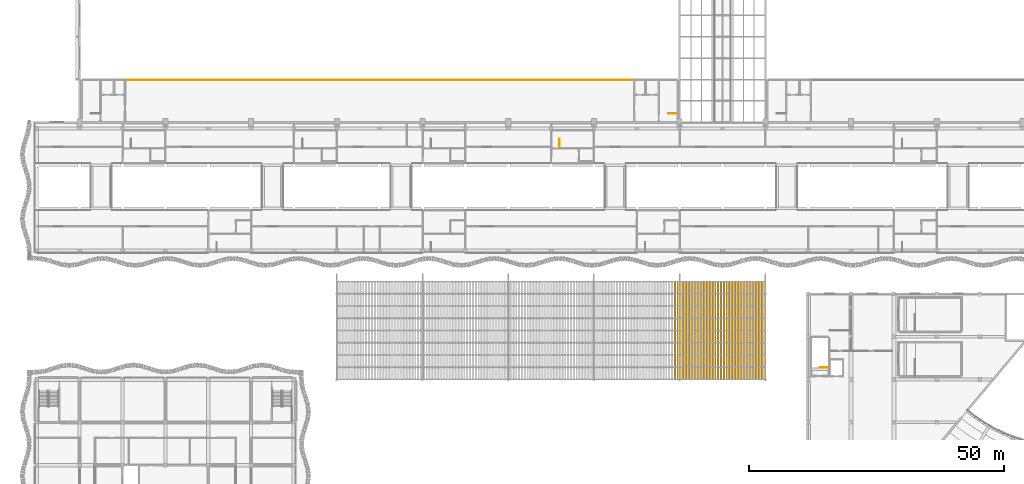
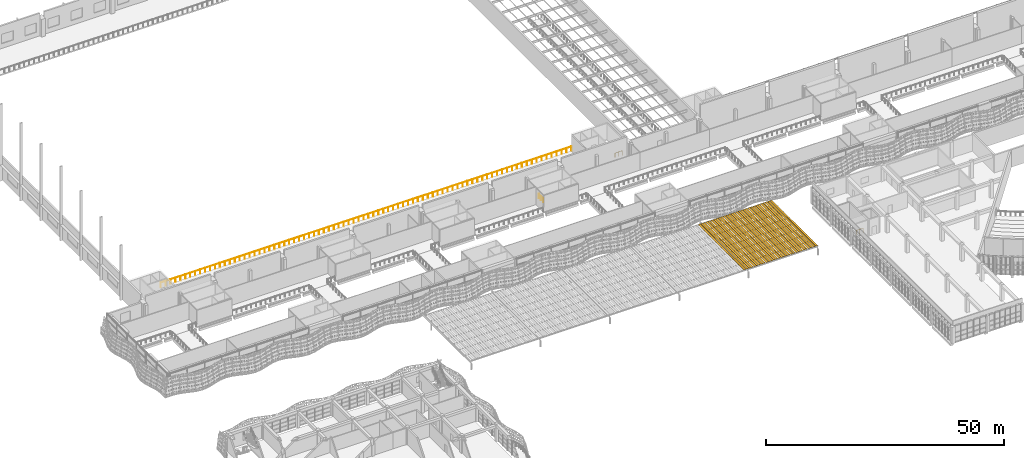
# One storey, part 141 of 162: 30 shading devices, 4 railings.
"""IFC4 building model written with IfcOpenShell, lengths in metres."""

from ifc_helpers import new_model, si_unit, direction, frame, origin, origin_2d, place, context, subcontext, project, spatial, rectangle, circle, extrude, material, layer, layer_set, type_object, element, save


model = new_model("IFC4")

# Units and contexts
model_context = context("Model", 3, precision=1e-05, world=origin(), true_north=direction((0.0, 1.0)))
body_context = subcontext(model_context, "Body", "Model", "MODEL_VIEW")
ifc_project = project(units=[si_unit("LENGTHUNIT", "METRE"), si_unit("AREAUNIT", "SQUARE_METRE"), si_unit("VOLUMEUNIT", "CUBIC_METRE"), si_unit("PLANEANGLEUNIT", "RADIAN"), si_unit("MASSUNIT", "GRAM", prefix="KILO")], contexts=[model_context])

# Site, building, storey
site_placement = place(None, origin())
site = spatial("IfcSite", under=ifc_project, at=site_placement, CompositionType="ELEMENT")
building_placement = place(site_placement, origin())
building = spatial("IfcBuilding", under=site, at=building_placement, Name="Rain Tree Exposition and Congress Centre", CompositionType="ELEMENT")
storey_placement = place(building_placement, frame((0.0, 0.0, 6.0)))
storey = spatial("IfcBuildingStorey", under=building, at=storey_placement, Name="L01", CompositionType="ELEMENT", Elevation=6.0)

# Railings
ifc_material_1 = material(Name="Aluminium and glass balustrade", Category="aluminium")
railing_type_1 = type_object("IfcRailingType", Name="Concourse guard 1100", PredefinedType="GUARDRAIL", material=ifc_material_1)
railing_1_placement = place(storey_placement, frame((102.449951171875, 95.85009765625, 0.0)))
element("IfcRailing", 1, at=railing_1_placement, inside=storey, type_object=railing_type_1, Name="L01 ST-C10 top well guard 1", PredefinedType="GUARDRAIL", context=body_context, shape_type="SweptSolid", body=[
    extrude(circle(Radius=0.02392578125, at=origin_2d()), frame((0.0, 0.0, 1.076171875), z_axis=(0.0, 1.0, 0.0), x_axis=(-1.0, 0.0, 0.0)), (0.0, 0.0, 1.0), 1.75),
    extrude(circle(Radius=0.02099609375, at=origin_2d()), origin(), (0.0, 0.0, 1.0), 1.052001953125),
    extrude(circle(Radius=0.02099609375, at=origin_2d()), frame((0.0, 0.875, 0.0)), (0.0, 0.0, 1.0), 1.052001953125),
    extrude(circle(Radius=0.02099609375, at=origin_2d()), frame((0.0, 1.75, 0.0)), (0.0, 0.0, 1.0), 1.052001953125),
])
ifc_material_2 = material(Name="Steel S355J2H", Category="steel")
railing_type_2 = type_object("IfcRailingType", Name="Gallery guard 1200", PredefinedType="GUARDRAIL", material=ifc_material_2)
railing_2_placement = place(storey_placement, frame((17.425048828125, 109.10009765625, 0.0)))
element("IfcRailing", 2, at=railing_2_placement, inside=storey, type_object=railing_type_2, Name="Gallery guard S", PredefinedType="GUARDRAIL", context=body_context, shape_type="SweptSolid", body=[
    extrude(circle(Radius=0.02392578125, at=origin_2d()), frame((0.0, 0.0, 1.17578125), z_axis=(1.0, 0.0, 0.0), x_axis=(0.0, 1.0, 0.0)), (0.0, 0.0, 1.0), 99.550048828125),
    extrude(circle(Radius=0.02099609375, at=origin_2d()), origin(), (0.0, 0.0, 1.0), 1.15185546875),
    extrude(circle(Radius=0.02099609375, at=origin_2d()), frame((1.199462890625, 0.0, 0.0)), (0.0, 0.0, 1.0), 1.15185546875),
    extrude(circle(Radius=0.02099609375, at=origin_2d()), frame((2.398681640625, 0.0, 0.0)), (0.0, 0.0, 1.0), 1.15185546875),
    extrude(circle(Radius=0.02099609375, at=origin_2d()), frame((3.59814453125, 0.0, 0.0)), (0.0, 0.0, 1.0), 1.15185546875),
    extrude(circle(Radius=0.02099609375, at=origin_2d()), frame((4.797607421875, 0.0, 0.0)), (0.0, 0.0, 1.0), 1.15185546875),
    extrude(circle(Radius=0.02099609375, at=origin_2d()), frame((5.9970703125, 0.0, 0.0)), (0.0, 0.0, 1.0), 1.15185546875),
    extrude(circle(Radius=0.02099609375, at=origin_2d()), frame((7.1962890625, 0.0, 0.0)), (0.0, 0.0, 1.0), 1.15185546875),
    extrude(circle(Radius=0.02099609375, at=origin_2d()), frame((8.395751953125, 0.0, 0.0)), (0.0, 0.0, 1.0), 1.15185546875),
    extrude(circle(Radius=0.02099609375, at=origin_2d()), frame((9.59521484375, 0.0, 0.0)), (0.0, 0.0, 1.0), 1.15185546875),
    extrude(circle(Radius=0.02099609375, at=origin_2d()), frame((10.794677734375, 0.0, 0.0)), (0.0, 0.0, 1.0), 1.15185546875),
    extrude(circle(Radius=0.02099609375, at=origin_2d()), frame((11.993896484375, 0.0, 0.0)), (0.0, 0.0, 1.0), 1.15185546875),
    extrude(circle(Radius=0.02099609375, at=origin_2d()), frame((13.193359375, 0.0, 0.0)), (0.0, 0.0, 1.0), 1.15185546875),
    extrude(circle(Radius=0.02099609375, at=origin_2d()), frame((14.392822265625, 0.0, 0.0)), (0.0, 0.0, 1.0), 1.15185546875),
    extrude(circle(Radius=0.02099609375, at=origin_2d()), frame((15.59228515625, 0.0, 0.0)), (0.0, 0.0, 1.0), 1.15185546875),
    extrude(circle(Radius=0.02099609375, at=origin_2d()), frame((16.79150390625, 0.0, 0.0)), (0.0, 0.0, 1.0), 1.15185546875),
    extrude(circle(Radius=0.02099609375, at=origin_2d()), frame((17.990966796875, 0.0, 0.0)), (0.0, 0.0, 1.0), 1.15185546875),
    extrude(circle(Radius=0.02099609375, at=origin_2d()), frame((19.1904296875, 0.0, 0.0)), (0.0, 0.0, 1.0), 1.15185546875),
    extrude(circle(Radius=0.02099609375, at=origin_2d()), frame((20.3896484375, 0.0, 0.0)), (0.0, 0.0, 1.0), 1.15185546875),
    extrude(circle(Radius=0.02099609375, at=origin_2d()), frame((21.589111328125, 0.0, 0.0)), (0.0, 0.0, 1.0), 1.15185546875),
    extrude(circle(Radius=0.02099609375, at=origin_2d()), frame((22.78857421875, 0.0, 0.0)), (0.0, 0.0, 1.0), 1.15185546875),
    extrude(circle(Radius=0.02099609375, at=origin_2d()), frame((23.988037109375, 0.0, 0.0)), (0.0, 0.0, 1.0), 1.15185546875),
    extrude(circle(Radius=0.02099609375, at=origin_2d()), frame((25.187255859375, 0.0, 0.0)), (0.0, 0.0, 1.0), 1.15185546875),
    extrude(circle(Radius=0.02099609375, at=origin_2d()), frame((26.38671875, 0.0, 0.0)), (0.0, 0.0, 1.0), 1.15185546875),
    extrude(circle(Radius=0.02099609375, at=origin_2d()), frame((27.586181640625, 0.0, 0.0)), (0.0, 0.0, 1.0), 1.15185546875),
    extrude(circle(Radius=0.02099609375, at=origin_2d()), frame((28.78564453125, 0.0, 0.0)), (0.0, 0.0, 1.0), 1.15185546875),
    extrude(circle(Radius=0.02099609375, at=origin_2d()), frame((29.98486328125, 0.0, 0.0)), (0.0, 0.0, 1.0), 1.15185546875),
    extrude(circle(Radius=0.02099609375, at=origin_2d()), frame((31.184326171875, 0.0, 0.0)), (0.0, 0.0, 1.0), 1.15185546875),
    extrude(circle(Radius=0.02099609375, at=origin_2d()), frame((32.3837890625, 0.0, 0.0)), (0.0, 0.0, 1.0), 1.15185546875),
    extrude(circle(Radius=0.02099609375, at=origin_2d()), frame((33.583251953125, 0.0, 0.0)), (0.0, 0.0, 1.0), 1.15185546875),
    extrude(circle(Radius=0.02099609375, at=origin_2d()), frame((34.782470703125, 0.0, 0.0)), (0.0, 0.0, 1.0), 1.15185546875),
    extrude(circle(Radius=0.02099609375, at=origin_2d()), frame((35.98193359375, 0.0, 0.0)), (0.0, 0.0, 1.0), 1.15185546875),
    extrude(circle(Radius=0.02099609375, at=origin_2d()), frame((37.181396484375, 0.0, 0.0)), (0.0, 0.0, 1.0), 1.15185546875),
    extrude(circle(Radius=0.02099609375, at=origin_2d()), frame((38.380859375, 0.0, 0.0)), (0.0, 0.0, 1.0), 1.15185546875),
    extrude(circle(Radius=0.02099609375, at=origin_2d()), frame((39.580078125, 0.0, 0.0)), (0.0, 0.0, 1.0), 1.15185546875),
    extrude(circle(Radius=0.02099609375, at=origin_2d()), frame((40.779541015625, 0.0, 0.0)), (0.0, 0.0, 1.0), 1.15185546875),
    extrude(circle(Radius=0.02099609375, at=origin_2d()), frame((41.97900390625, 0.0, 0.0)), (0.0, 0.0, 1.0), 1.15185546875),
    extrude(circle(Radius=0.02099609375, at=origin_2d()), frame((43.17822265625, 0.0, 0.0)), (0.0, 0.0, 1.0), 1.15185546875),
    extrude(circle(Radius=0.02099609375, at=origin_2d()), frame((44.377685546875, 0.0, 0.0)), (0.0, 0.0, 1.0), 1.15185546875),
    extrude(circle(Radius=0.02099609375, at=origin_2d()), frame((45.5771484375, 0.0, 0.0)), (0.0, 0.0, 1.0), 1.15185546875),
    extrude(circle(Radius=0.02099609375, at=origin_2d()), frame((46.776611328125, 0.0, 0.0)), (0.0, 0.0, 1.0), 1.15185546875),
    extrude(circle(Radius=0.02099609375, at=origin_2d()), frame((47.975830078125, 0.0, 0.0)), (0.0, 0.0, 1.0), 1.15185546875),
    extrude(circle(Radius=0.02099609375, at=origin_2d()), frame((49.17529296875, 0.0, 0.0)), (0.0, 0.0, 1.0), 1.15185546875),
    extrude(circle(Radius=0.02099609375, at=origin_2d()), frame((50.374755859375, 0.0, 0.0)), (0.0, 0.0, 1.0), 1.15185546875),
    extrude(circle(Radius=0.02099609375, at=origin_2d()), frame((51.57421875, 0.0, 0.0)), (0.0, 0.0, 1.0), 1.15185546875),
    extrude(circle(Radius=0.02099609375, at=origin_2d()), frame((52.7734375, 0.0, 0.0)), (0.0, 0.0, 1.0), 1.15185546875),
    extrude(circle(Radius=0.02099609375, at=origin_2d()), frame((53.972900390625, 0.0, 0.0)), (0.0, 0.0, 1.0), 1.15185546875),
    extrude(circle(Radius=0.02099609375, at=origin_2d()), frame((55.17236328125, 0.0, 0.0)), (0.0, 0.0, 1.0), 1.15185546875),
    extrude(circle(Radius=0.02099609375, at=origin_2d()), frame((56.371826171875, 0.0, 0.0)), (0.0, 0.0, 1.0), 1.15185546875),
    extrude(circle(Radius=0.02099609375, at=origin_2d()), frame((57.571044921875, 0.0, 0.0)), (0.0, 0.0, 1.0), 1.15185546875),
    extrude(circle(Radius=0.02099609375, at=origin_2d()), frame((58.7705078125, 0.0, 0.0)), (0.0, 0.0, 1.0), 1.15185546875),
    extrude(circle(Radius=0.02099609375, at=origin_2d()), frame((59.969970703125, 0.0, 0.0)), (0.0, 0.0, 1.0), 1.15185546875),
    extrude(circle(Radius=0.02099609375, at=origin_2d()), frame((61.169189453125, 0.0, 0.0)), (0.0, 0.0, 1.0), 1.15185546875),
    extrude(circle(Radius=0.02099609375, at=origin_2d()), frame((62.36865234375, 0.0, 0.0)), (0.0, 0.0, 1.0), 1.15185546875),
    extrude(circle(Radius=0.02099609375, at=origin_2d()), frame((63.568115234375, 0.0, 0.0)), (0.0, 0.0, 1.0), 1.15185546875),
    extrude(circle(Radius=0.02099609375, at=origin_2d()), frame((64.767578125, 0.0, 0.0)), (0.0, 0.0, 1.0), 1.15185546875),
    extrude(circle(Radius=0.02099609375, at=origin_2d()), frame((65.966796875, 0.0, 0.0)), (0.0, 0.0, 1.0), 1.15185546875),
    extrude(circle(Radius=0.02099609375, at=origin_2d()), frame((67.166259765625, 0.0, 0.0)), (0.0, 0.0, 1.0), 1.15185546875),
    extrude(circle(Radius=0.02099609375, at=origin_2d()), frame((68.36572265625, 0.0, 0.0)), (0.0, 0.0, 1.0), 1.15185546875),
    extrude(circle(Radius=0.02099609375, at=origin_2d()), frame((69.565185546875, 0.0, 0.0)), (0.0, 0.0, 1.0), 1.15185546875),
    extrude(circle(Radius=0.02099609375, at=origin_2d()), frame((70.764404296875, 0.0, 0.0)), (0.0, 0.0, 1.0), 1.15185546875),
    extrude(circle(Radius=0.02099609375, at=origin_2d()), frame((71.9638671875, 0.0, 0.0)), (0.0, 0.0, 1.0), 1.15185546875),
    extrude(circle(Radius=0.02099609375, at=origin_2d()), frame((73.163330078125, 0.0, 0.0)), (0.0, 0.0, 1.0), 1.15185546875),
    extrude(circle(Radius=0.02099609375, at=origin_2d()), frame((74.36279296875, 0.0, 0.0)), (0.0, 0.0, 1.0), 1.15185546875),
    extrude(circle(Radius=0.02099609375, at=origin_2d()), frame((75.56201171875, 0.0, 0.0)), (0.0, 0.0, 1.0), 1.15185546875),
    extrude(circle(Radius=0.02099609375, at=origin_2d()), frame((76.761474609375, 0.0, 0.0)), (0.0, 0.0, 1.0), 1.15185546875),
    extrude(circle(Radius=0.02099609375, at=origin_2d()), frame((77.9609375, 0.0, 0.0)), (0.0, 0.0, 1.0), 1.15185546875),
    extrude(circle(Radius=0.02099609375, at=origin_2d()), frame((79.160400390625, 0.0, 0.0)), (0.0, 0.0, 1.0), 1.15185546875),
    extrude(circle(Radius=0.02099609375, at=origin_2d()), frame((80.359619140625, 0.0, 0.0)), (0.0, 0.0, 1.0), 1.15185546875),
    extrude(circle(Radius=0.02099609375, at=origin_2d()), frame((81.55908203125, 0.0, 0.0)), (0.0, 0.0, 1.0), 1.15185546875),
    extrude(circle(Radius=0.02099609375, at=origin_2d()), frame((82.758544921875, 0.0, 0.0)), (0.0, 0.0, 1.0), 1.15185546875),
    extrude(circle(Radius=0.02099609375, at=origin_2d()), frame((83.957763671875, 0.0, 0.0)), (0.0, 0.0, 1.0), 1.15185546875),
    extrude(circle(Radius=0.02099609375, at=origin_2d()), frame((85.1572265625, 0.0, 0.0)), (0.0, 0.0, 1.0), 1.15185546875),
    extrude(circle(Radius=0.02099609375, at=origin_2d()), frame((86.356689453125, 0.0, 0.0)), (0.0, 0.0, 1.0), 1.15185546875),
    extrude(circle(Radius=0.02099609375, at=origin_2d()), frame((87.55615234375, 0.0, 0.0)), (0.0, 0.0, 1.0), 1.15185546875),
    extrude(circle(Radius=0.02099609375, at=origin_2d()), frame((88.75537109375, 0.0, 0.0)), (0.0, 0.0, 1.0), 1.15185546875),
    extrude(circle(Radius=0.02099609375, at=origin_2d()), frame((89.954833984375, 0.0, 0.0)), (0.0, 0.0, 1.0), 1.15185546875),
    extrude(circle(Radius=0.02099609375, at=origin_2d()), frame((91.154296875, 0.0, 0.0)), (0.0, 0.0, 1.0), 1.15185546875),
    extrude(circle(Radius=0.02099609375, at=origin_2d()), frame((92.353759765625, 0.0, 0.0)), (0.0, 0.0, 1.0), 1.15185546875),
    extrude(circle(Radius=0.02099609375, at=origin_2d()), frame((93.552978515625, 0.0, 0.0)), (0.0, 0.0, 1.0), 1.15185546875),
    extrude(circle(Radius=0.02099609375, at=origin_2d()), frame((94.75244140625, 0.0, 0.0)), (0.0, 0.0, 1.0), 1.15185546875),
    extrude(circle(Radius=0.02099609375, at=origin_2d()), frame((95.951904296875, 0.0, 0.0)), (0.0, 0.0, 1.0), 1.15185546875),
    extrude(circle(Radius=0.02099609375, at=origin_2d()), frame((97.1513671875, 0.0, 0.0)), (0.0, 0.0, 1.0), 1.15185546875),
    extrude(circle(Radius=0.02099609375, at=origin_2d()), frame((98.3505859375, 0.0, 0.0)), (0.0, 0.0, 1.0), 1.15185546875),
    extrude(circle(Radius=0.02099609375, at=origin_2d()), frame((99.550048828125, 0.0, 0.0)), (0.0, 0.0, 1.0), 1.15185546875),
])
ifc_material_3 = material(Name="Steel S355J2H", Category="steel")
railing_type_3 = type_object("IfcRailingType", Name="Stair guard 1100", PredefinedType="GUARDRAIL", material=ifc_material_3)
railing_3_placement = place(storey_placement, frame((125.5, 102.550048828125, 0.0)))
element("IfcRailing", 3, at=railing_3_placement, inside=storey, type_object=railing_type_3, Name="L01 ST-H2 top well guard 1", PredefinedType="GUARDRAIL", context=body_context, shape_type="SweptSolid", body=[
    extrude(circle(Radius=0.02392578125, at=origin_2d()), frame((0.0, 0.0, 1.076171875), z_axis=(-1.0, 0.0, 0.0), x_axis=(0.0, -1.0, 0.0)), (0.0, 0.0, 1.0), 1.75),
    extrude(circle(Radius=0.02099609375, at=origin_2d()), origin(), (0.0, 0.0, 1.0), 1.052001953125),
    extrude(circle(Radius=0.02099609375, at=origin_2d()), frame((-0.875, 0.0, 0.0)), (0.0, 0.0, 1.0), 1.052001953125),
    extrude(circle(Radius=0.02099609375, at=origin_2d()), frame((-1.75, 0.0, 0.0)), (0.0, 0.0, 1.0), 1.052001953125),
])
ifc_material_4 = material(Name="Steel S355J2H", Category="steel")
railing_type_4 = type_object("IfcRailingType", Name="Steel guard 1100", PredefinedType="GUARDRAIL", material=ifc_material_4)
railing_4_placement = place(storey_placement, frame((155.14990234375, 52.75, 0.0)))
element("IfcRailing", 4, at=railing_4_placement, inside=storey, type_object=railing_type_4, Name="L01 ST-G1 top well guard 1", PredefinedType="GUARDRAIL", context=body_context, shape_type="SweptSolid", body=[
    extrude(circle(Radius=0.02392578125, at=origin_2d()), frame((0.0, 0.0, 1.076171875), z_axis=(-1.0, 0.0, 0.0), x_axis=(0.0, -1.0, 0.0)), (0.0, 0.0, 1.0), 1.699951171875),
    extrude(circle(Radius=0.02099609375, at=origin_2d()), origin(), (0.0, 0.0, 1.0), 1.052001953125),
    extrude(circle(Radius=0.02099609375, at=origin_2d()), frame((-0.85009765625, 0.0, 0.0)), (0.0, 0.0, 1.0), 1.052001953125),
    extrude(circle(Radius=0.02099609375, at=origin_2d()), frame((-1.699951171875, 0.0, 0.0)), (0.0, 0.0, 1.0), 1.052001953125),
])

# Shading devices
ifc_material_5 = material(Name="Terracotta", Category="masonry")
ifc_layer = layer(ifc_material_5, 0.050048828125)
ifc_layer_set = layer_set([ifc_layer], Name="Terracotta")
shading_device_type = type_object("IfcShadingDeviceType", Name="Terracotta louvre blade 450x50", PredefinedType="JALOUSIE", material=ifc_layer_set)
for number, where, z_axis, x_axis, name in (
    (5, (125.10009765625, 60.0, 2.35009765625), (0.0, 0.0, 1.0), (1.0, 0.0, 0.0), "Canopy louvre 111"),
    (6, (125.699951171875, 60.0, 2.35009765625), (0.0, 0.0, 1.0), (1.0, 0.0, 0.0), "Canopy louvre 112"),
    (7, (126.300048828125, 60.0, 2.35009765625), (0.0, 0.0, 1.0), (1.0, 0.0, 0.0), "Canopy louvre 113"),
    (8, (126.89990234375, 60.0, 2.35009765625), (0.0, 0.0, 1.0), (1.0, 0.0, 0.0), "Canopy louvre 114"),
    (9, (127.5, 60.0, 2.35009765625), (0.0, 0.0, 1.0), (1.0, 0.0, 0.0), "Canopy louvre 115"),
    (10, (128.10009765625, 60.0, 2.35009765625), (0.0, 0.0, 1.0), (1.0, 0.0, 0.0), "Canopy louvre 116"),
    (11, (128.699951171875, 60.0, 2.35009765625), (0.0, 0.0, 1.0), (1.0, 0.0, 0.0), "Canopy louvre 117"),
    (12, (129.300048828125, 60.0, 2.35009765625), (0.0, 0.0, 1.0), (1.0, 0.0, 0.0), "Canopy louvre 118"),
    (13, (129.89990234375, 60.0, 2.35009765625), (0.0, 0.0, 1.0), (1.0, 0.0, 0.0), "Canopy louvre 119"),
    (14, (130.5, 60.0, 2.35009765625), (0.0, 0.0, 1.0), (1.0, 0.0, 0.0), "Canopy louvre 120"),
    (15, (131.10009765625, 60.0, 2.35009765625), (0.0, 0.0, 1.0), (1.0, 0.0, 0.0), "Canopy louvre 121"),
    (16, (131.699951171875, 60.0, 2.35009765625), (0.0, 0.0, 1.0), (1.0, 0.0, 0.0), "Canopy louvre 122"),
    (17, (132.300048828125, 60.0, 2.35009765625), (0.0, 0.0, 1.0), (1.0, 0.0, 0.0), "Canopy louvre 123"),
    (18, (132.89990234375, 60.0, 2.35009765625), (0.0, 0.0, 1.0), (1.0, 0.0, 0.0), "Canopy louvre 124"),
    (19, (133.5, 60.0, 2.35009765625), (0.0, 0.0, 1.0), (1.0, 0.0, 0.0), "Canopy louvre 125"),
    (20, (134.10009765625, 60.0, 2.35009765625), (0.0, 0.0, 1.0), (1.0, 0.0, 0.0), "Canopy louvre 126"),
    (21, (134.699951171875, 60.0, 2.35009765625), (0.0, 0.0, 1.0), (1.0, 0.0, 0.0), "Canopy louvre 127"),
    (22, (135.300048828125, 60.0, 2.35009765625), (0.0, 0.0, 1.0), (1.0, 0.0, 0.0), "Canopy louvre 128"),
    (23, (135.89990234375, 60.0, 2.35009765625), (0.0, 0.0, 1.0), (1.0, 0.0, 0.0), "Canopy louvre 129"),
    (24, (136.5, 60.0, 2.35009765625), (0.0, 0.0, 1.0), (1.0, 0.0, 0.0), "Canopy louvre 130"),
    (25, (137.10009765625, 60.0, 2.35009765625), (0.0, 0.0, 1.0), (1.0, 0.0, 0.0), "Canopy louvre 131"),
    (26, (137.699951171875, 60.0, 2.35009765625), (0.0, 0.0, 1.0), (1.0, 0.0, 0.0), "Canopy louvre 132"),
    (27, (138.300048828125, 60.0, 2.35009765625), (0.0, 0.0, 1.0), (1.0, 0.0, 0.0), "Canopy louvre 133"),
    (28, (138.89990234375, 60.0, 2.35009765625), (0.0, 0.0, 1.0), (1.0, 0.0, 0.0), "Canopy louvre 134"),
    (29, (139.5, 60.0, 2.35009765625), (0.0, 0.0, 1.0), (1.0, 0.0, 0.0), "Canopy louvre 135"),
    (30, (140.10009765625, 60.0, 2.35009765625), (0.0, 0.0, 1.0), (1.0, 0.0, 0.0), "Canopy louvre 136"),
    (31, (140.699951171875, 60.0, 2.35009765625), (0.0, 0.0, 1.0), (1.0, 0.0, 0.0), "Canopy louvre 137"),
    (32, (141.300048828125, 60.0, 2.35009765625), (0.0, 0.0, 1.0), (1.0, 0.0, 0.0), "Canopy louvre 138"),
    (33, (141.89990234375, 60.0, 2.35009765625), (0.0, 0.0, 1.0), (1.0, 0.0, 0.0), "Canopy louvre 139"),
    (34, (142.5, 60.0, 2.35009765625), (0.0, 0.0, 1.0), (1.0, 0.0, 0.0), "Canopy louvre 140"),
):
    element("IfcShadingDevice", number, at=place(storey_placement, frame(where, z_axis=z_axis, x_axis=x_axis)), inside=storey, type_object=shading_device_type, Name=name, PredefinedType="JALOUSIE", context=body_context, shape_type="SweptSolid", body=[
        extrude(rectangle(XDim=0.449951171875, YDim=19.199951171875, at=origin_2d()), origin(), (0.0, 0.0, 1.0), 0.050048828125),
    ])

save(model, "model.ifc")
